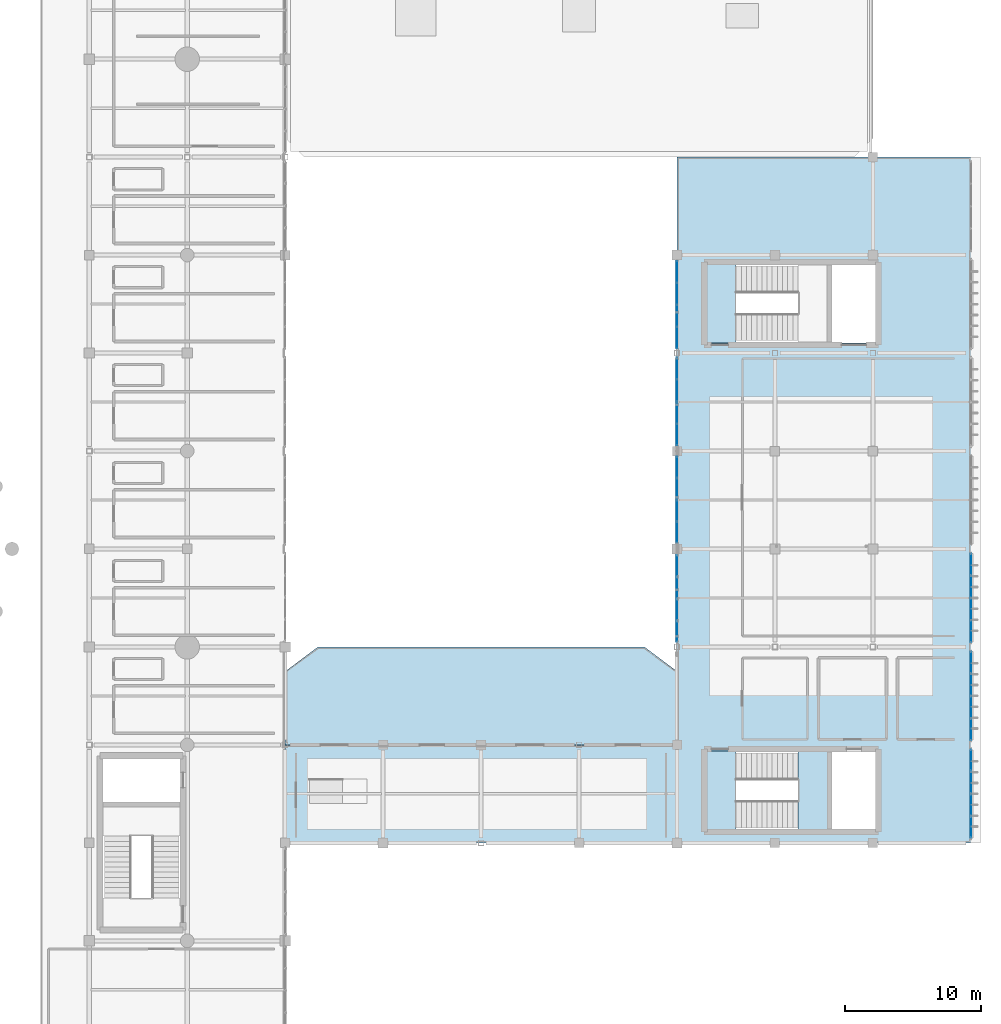
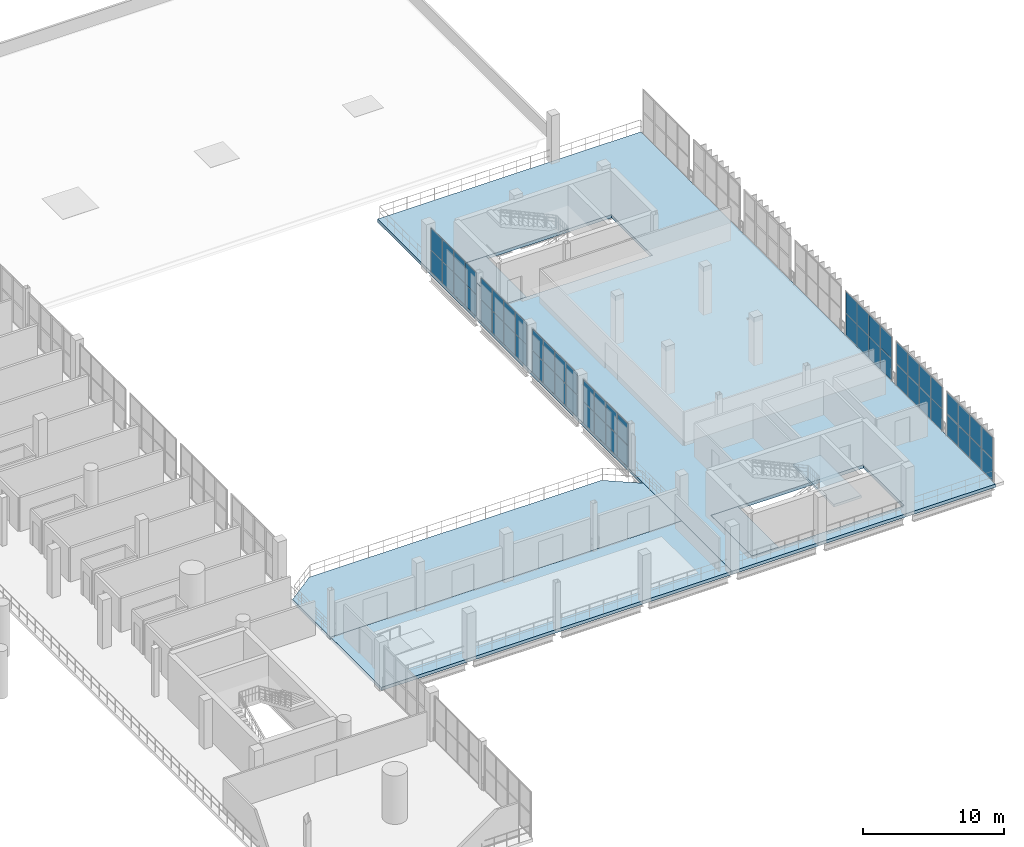
# One storey, part 96 of 130: 56 plates, 6 slabs, 8 elements without a shape of their own.
"""IFC4 building model written with IfcOpenShell, lengths in metres."""

from ifc_helpers import new_model, si_unit, direction, frame, origin, origin_2d, place, context, subcontext, project, spatial, polyline, rectangle, outline, extrude, material, layer, layer_set, type_object, element, aggregate, save


model = new_model("IFC4")

# Units and contexts
model_context = context("Model", 3, precision=1e-05, world=origin(), true_north=direction((0.0, 1.0)))
body_context = subcontext(model_context, "Body", "Model", "MODEL_VIEW")
ifc_project = project(units=[si_unit("LENGTHUNIT", "METRE"), si_unit("AREAUNIT", "SQUARE_METRE"), si_unit("VOLUMEUNIT", "CUBIC_METRE"), si_unit("PLANEANGLEUNIT", "RADIAN"), si_unit("MASSUNIT", "GRAM", prefix="KILO")], contexts=[model_context])

# Site, building, storey
site_placement = place(None, origin())
site = spatial("IfcSite", under=ifc_project, at=site_placement, CompositionType="ELEMENT")
building_placement = place(site_placement, origin())
building = spatial("IfcBuilding", under=site, at=building_placement, Name="Qandorah Velis Arena", CompositionType="ELEMENT")
storey_placement = place(building_placement, frame((0.0, 0.0, 9.60009765625)))
storey = spatial("IfcBuildingStorey", under=building, at=storey_placement, Name="L02", CompositionType="ELEMENT", Elevation=9.60009765625)

# Curtain wall, plates
ifc_material_1 = material(Name="Solar-control low-E double glazing", Category="glass")
curtain_wall_type_1 = type_object("IfcCurtainWallType", Name="ARC-CW-SYS08", PredefinedType="USERDEFINED", material=ifc_material_1)
curtain_wall_1_placement = place(storey_placement, origin())
curtain_wall_1 = element("IfcCurtainWall", 1, at=curtain_wall_1_placement, inside=storey, type_object=curtain_wall_type_1, Name="Unitised curtain wall L02-128", ObjectType="UNITISED CURTAIN WALL", PredefinedType="USERDEFINED")
ifc_layer_1 = layer(ifc_material_1, 0.028076171875)
ifc_layer_set_1 = layer_set([ifc_layer_1], Name="Solar-control low-E double glazing")
plate_type_1 = type_object("IfcPlateType", Name="ARC-CWP-GLZ28", PredefinedType="CURTAIN_PANEL", material=ifc_layer_set_1)
plate_1_placement = place(storey_placement, frame((151.199951171875, 80.326171875, 0.044921875), z_axis=(0.0, 0.0, 1.0), x_axis=(0.0, 1.0, 0.0)))
plate_1 = element("IfcPlate", 2, at=plate_1_placement, type_object=plate_type_1, Name="CW08 panel 1.1", PredefinedType="CURTAIN_PANEL", context=body_context, shape_type="SweptSolid", body=[
    extrude(rectangle(XDim=1.5625, YDim=0.028076171875, at=origin_2d()), origin(), (0.0, 0.0, 1.0), 1.87744140625),
])
plate_2_placement = place(storey_placement, frame((151.199951171875, 80.326171875, 1.95751953125), z_axis=(0.0, 0.0, 1.0), x_axis=(0.0, 1.0, 0.0)))
plate_2 = element("IfcPlate", 3, at=plate_2_placement, type_object=plate_type_1, Name="CW08 panel 1.2", PredefinedType="CURTAIN_PANEL", context=body_context, shape_type="SweptSolid", body=[
    extrude(rectangle(XDim=1.5625, YDim=0.028076171875, at=origin_2d()), origin(), (0.0, 0.0, 1.0), 1.87744140625),
])
plate_3_placement = place(storey_placement, frame((151.199951171875, 81.9375, 0.044921875), z_axis=(0.0, 0.0, 1.0), x_axis=(0.0, 1.0, 0.0)))
plate_3 = element("IfcPlate", 4, at=plate_3_placement, type_object=plate_type_1, Name="CW08 panel 2.1", PredefinedType="CURTAIN_PANEL", context=body_context, shape_type="SweptSolid", body=[
    extrude(rectangle(XDim=1.590087890625, YDim=0.028076171875, at=origin_2d()), origin(), (0.0, 0.0, 1.0), 1.87744140625),
])
plate_4_placement = place(storey_placement, frame((151.199951171875, 81.9375, 1.95751953125), z_axis=(0.0, 0.0, 1.0), x_axis=(0.0, 1.0, 0.0)))
plate_4 = element("IfcPlate", 5, at=plate_4_placement, type_object=plate_type_1, Name="CW08 panel 2.2", PredefinedType="CURTAIN_PANEL", context=body_context, shape_type="SweptSolid", body=[
    extrude(rectangle(XDim=1.590087890625, YDim=0.028076171875, at=origin_2d()), origin(), (0.0, 0.0, 1.0), 1.87744140625),
])
plate_5_placement = place(storey_placement, frame((151.199951171875, 83.5625, 0.044921875), z_axis=(0.0, 0.0, 1.0), x_axis=(0.0, 1.0, 0.0)))
plate_5 = element("IfcPlate", 6, at=plate_5_placement, type_object=plate_type_1, Name="CW08 panel 3.1", PredefinedType="CURTAIN_PANEL", context=body_context, shape_type="SweptSolid", body=[
    extrude(rectangle(XDim=1.590087890625, YDim=0.028076171875, at=origin_2d()), origin(), (0.0, 0.0, 1.0), 1.87744140625),
])
plate_6_placement = place(storey_placement, frame((151.199951171875, 83.5625, 1.95751953125), z_axis=(0.0, 0.0, 1.0), x_axis=(0.0, 1.0, 0.0)))
plate_6 = element("IfcPlate", 7, at=plate_6_placement, type_object=plate_type_1, Name="CW08 panel 3.2", PredefinedType="CURTAIN_PANEL", context=body_context, shape_type="SweptSolid", body=[
    extrude(rectangle(XDim=1.590087890625, YDim=0.028076171875, at=origin_2d()), origin(), (0.0, 0.0, 1.0), 1.87744140625),
])
plate_7_placement = place(storey_placement, frame((151.199951171875, 85.173828125, 0.044921875), z_axis=(0.0, 0.0, 1.0), x_axis=(0.0, 1.0, 0.0)))
plate_7 = element("IfcPlate", 8, at=plate_7_placement, type_object=plate_type_1, Name="CW08 panel 4.1", PredefinedType="CURTAIN_PANEL", context=body_context, shape_type="SweptSolid", body=[
    extrude(rectangle(XDim=1.5625, YDim=0.028076171875, at=origin_2d()), origin(), (0.0, 0.0, 1.0), 1.87744140625),
])
plate_8_placement = place(storey_placement, frame((151.199951171875, 85.173828125, 1.95751953125), z_axis=(0.0, 0.0, 1.0), x_axis=(0.0, 1.0, 0.0)))
plate_8 = element("IfcPlate", 9, at=plate_8_placement, type_object=plate_type_1, Name="CW08 panel 4.2", PredefinedType="CURTAIN_PANEL", context=body_context, shape_type="SweptSolid", body=[
    extrude(rectangle(XDim=1.5625, YDim=0.028076171875, at=origin_2d()), origin(), (0.0, 0.0, 1.0), 1.87744140625),
])
aggregate(curtain_wall_1, [plate_1, plate_2, plate_3, plate_4, plate_5, plate_6, plate_7, plate_8])

curtain_wall_type_2 = type_object("IfcCurtainWallType", Name="ARC-CW-SYS07", PredefinedType="USERDEFINED", material=ifc_material_1)
curtain_wall_2_placement = place(storey_placement, origin())
curtain_wall_2 = element("IfcCurtainWall", 10, at=curtain_wall_2_placement, inside=storey, type_object=curtain_wall_type_2, Name="Unitised curtain wall L02-127", ObjectType="UNITISED CURTAIN WALL", PredefinedType="USERDEFINED")
ifc_layer_2 = layer(ifc_material_1, 0.030029296875)
ifc_layer_set_2 = layer_set([ifc_layer_2], Name="Solar-control low-E double glazing")
plate_type_2 = type_object("IfcPlateType", Name="ARC-CWP-GLZ30", PredefinedType="CURTAIN_PANEL", material=ifc_layer_set_2)
plate_9_placement = place(storey_placement, frame((151.199951171875, 73.20556640625, 0.0498046875), z_axis=(0.0, 0.0, 1.0), x_axis=(0.0, 1.0, 0.0)))
plate_9 = element("IfcPlate", 11, at=plate_9_placement, type_object=plate_type_2, Name="CW07 panel 1.1", PredefinedType="CURTAIN_PANEL", context=body_context, shape_type="SweptSolid", body=[
    extrude(rectangle(XDim=1.561279296875, YDim=0.030029296875, at=origin_2d()), origin(), (0.0, 0.0, 1.0), 1.8701171875),
])
plate_10_placement = place(storey_placement, frame((151.199951171875, 73.20556640625, 1.9599609375), z_axis=(0.0, 0.0, 1.0), x_axis=(0.0, 1.0, 0.0)))
plate_10 = element("IfcPlate", 12, at=plate_10_placement, type_object=plate_type_2, Name="CW07 panel 1.2", PredefinedType="CURTAIN_PANEL", context=body_context, shape_type="SweptSolid", body=[
    extrude(rectangle(XDim=1.561279296875, YDim=0.030029296875, at=origin_2d()), origin(), (0.0, 0.0, 1.0), 1.8701171875),
])
plate_11_placement = place(storey_placement, frame((151.199951171875, 74.82177734375, 0.0498046875), z_axis=(0.0, 0.0, 1.0), x_axis=(0.0, 1.0, 0.0)))
plate_11 = element("IfcPlate", 13, at=plate_11_placement, type_object=plate_type_2, Name="CW07 panel 2.1", PredefinedType="CURTAIN_PANEL", context=body_context, shape_type="SweptSolid", body=[
    extrude(rectangle(XDim=1.59130859375, YDim=0.030029296875, at=origin_2d()), origin(), (0.0, 0.0, 1.0), 1.8701171875),
])
plate_12_placement = place(storey_placement, frame((151.199951171875, 74.82177734375, 1.9599609375), z_axis=(0.0, 0.0, 1.0), x_axis=(0.0, 1.0, 0.0)))
plate_12 = element("IfcPlate", 14, at=plate_12_placement, type_object=plate_type_2, Name="CW07 panel 2.2", PredefinedType="CURTAIN_PANEL", context=body_context, shape_type="SweptSolid", body=[
    extrude(rectangle(XDim=1.59130859375, YDim=0.030029296875, at=origin_2d()), origin(), (0.0, 0.0, 1.0), 1.8701171875),
])
plate_13_placement = place(storey_placement, frame((151.199951171875, 76.453125, 0.0498046875), z_axis=(0.0, 0.0, 1.0), x_axis=(0.0, 1.0, 0.0)))
plate_13 = element("IfcPlate", 15, at=plate_13_placement, type_object=plate_type_2, Name="CW07 panel 3.1", PredefinedType="CURTAIN_PANEL", context=body_context, shape_type="SweptSolid", body=[
    extrude(rectangle(XDim=1.59130859375, YDim=0.030029296875, at=origin_2d()), origin(), (0.0, 0.0, 1.0), 1.8701171875),
])
plate_14_placement = place(storey_placement, frame((151.199951171875, 76.453125, 1.9599609375), z_axis=(0.0, 0.0, 1.0), x_axis=(0.0, 1.0, 0.0)))
plate_14 = element("IfcPlate", 16, at=plate_14_placement, type_object=plate_type_2, Name="CW07 panel 3.2", PredefinedType="CURTAIN_PANEL", context=body_context, shape_type="SweptSolid", body=[
    extrude(rectangle(XDim=1.59130859375, YDim=0.030029296875, at=origin_2d()), origin(), (0.0, 0.0, 1.0), 1.8701171875),
])
plate_15_placement = place(storey_placement, frame((151.199951171875, 78.0693359375, 0.0498046875), z_axis=(0.0, 0.0, 1.0), x_axis=(0.0, 1.0, 0.0)))
plate_15 = element("IfcPlate", 17, at=plate_15_placement, type_object=plate_type_2, Name="CW07 panel 4.1", PredefinedType="CURTAIN_PANEL", context=body_context, shape_type="SweptSolid", body=[
    extrude(rectangle(XDim=1.561279296875, YDim=0.030029296875, at=origin_2d()), origin(), (0.0, 0.0, 1.0), 1.8701171875),
])
plate_16_placement = place(storey_placement, frame((151.199951171875, 78.0693359375, 1.9599609375), z_axis=(0.0, 0.0, 1.0), x_axis=(0.0, 1.0, 0.0)))
plate_16 = element("IfcPlate", 18, at=plate_16_placement, type_object=plate_type_2, Name="CW07 panel 4.2", PredefinedType="CURTAIN_PANEL", context=body_context, shape_type="SweptSolid", body=[
    extrude(rectangle(XDim=1.561279296875, YDim=0.030029296875, at=origin_2d()), origin(), (0.0, 0.0, 1.0), 1.8701171875),
])
aggregate(curtain_wall_2, [plate_9, plate_10, plate_11, plate_12, plate_13, plate_14, plate_15, plate_16])

curtain_wall_type_3 = type_object("IfcCurtainWallType", Name="ARC-CW-SYS03", PredefinedType="USERDEFINED", material=ifc_material_1)
curtain_wall_3_placement = place(storey_placement, origin())
curtain_wall_3 = element("IfcCurtainWall", 19, at=curtain_wall_3_placement, inside=storey, type_object=curtain_wall_type_3, Name="Unitised curtain wall L02-147", ObjectType="UNITISED CURTAIN WALL", PredefinedType="USERDEFINED")
plate_17_placement = place(storey_placement, frame((172.800048828125, 58.739990234375, 0.0498046875), z_axis=(0.0, 0.0, 1.0), x_axis=(0.0, 1.0, 0.0)))
plate_17 = element("IfcPlate", 20, at=plate_17_placement, type_object=plate_type_2, Name="CW03 panel 1.1", PredefinedType="CURTAIN_PANEL", context=body_context, shape_type="SweptSolid", body=[
    extrude(rectangle(XDim=1.580078125, YDim=0.030029296875, at=origin_2d()), origin(), (0.0, 0.0, 1.0), 1.8701171875),
])
plate_18_placement = place(storey_placement, frame((172.800048828125, 58.739990234375, 1.9599609375), z_axis=(0.0, 0.0, 1.0), x_axis=(0.0, 1.0, 0.0)))
plate_18 = element("IfcPlate", 21, at=plate_18_placement, type_object=plate_type_2, Name="CW03 panel 1.2", PredefinedType="CURTAIN_PANEL", context=body_context, shape_type="SweptSolid", body=[
    extrude(rectangle(XDim=1.580078125, YDim=0.030029296875, at=origin_2d()), origin(), (0.0, 0.0, 1.0), 1.8701171875),
])
plate_19_placement = place(storey_placement, frame((172.800048828125, 60.375, 0.0498046875), z_axis=(0.0, 0.0, 1.0), x_axis=(0.0, 1.0, 0.0)))
plate_19 = element("IfcPlate", 22, at=plate_19_placement, type_object=plate_type_2, Name="CW03 panel 2.1", PredefinedType="CURTAIN_PANEL", context=body_context, shape_type="SweptSolid", body=[
    extrude(rectangle(XDim=1.610107421875, YDim=0.030029296875, at=origin_2d()), origin(), (0.0, 0.0, 1.0), 1.8701171875),
])
plate_20_placement = place(storey_placement, frame((172.800048828125, 60.375, 1.9599609375), z_axis=(0.0, 0.0, 1.0), x_axis=(0.0, 1.0, 0.0)))
plate_20 = element("IfcPlate", 23, at=plate_20_placement, type_object=plate_type_2, Name="CW03 panel 2.2", PredefinedType="CURTAIN_PANEL", context=body_context, shape_type="SweptSolid", body=[
    extrude(rectangle(XDim=1.610107421875, YDim=0.030029296875, at=origin_2d()), origin(), (0.0, 0.0, 1.0), 1.8701171875),
])
plate_21_placement = place(storey_placement, frame((172.800048828125, 62.02490234375, 0.0498046875), z_axis=(0.0, 0.0, 1.0), x_axis=(0.0, 1.0, 0.0)))
plate_21 = element("IfcPlate", 24, at=plate_21_placement, type_object=plate_type_2, Name="CW03 panel 3.1", PredefinedType="CURTAIN_PANEL", context=body_context, shape_type="SweptSolid", body=[
    extrude(rectangle(XDim=1.610107421875, YDim=0.030029296875, at=origin_2d()), origin(), (0.0, 0.0, 1.0), 1.8701171875),
])
plate_22_placement = place(storey_placement, frame((172.800048828125, 62.02490234375, 1.9599609375), z_axis=(0.0, 0.0, 1.0), x_axis=(0.0, 1.0, 0.0)))
plate_22 = element("IfcPlate", 25, at=plate_22_placement, type_object=plate_type_2, Name="CW03 panel 3.2", PredefinedType="CURTAIN_PANEL", context=body_context, shape_type="SweptSolid", body=[
    extrude(rectangle(XDim=1.610107421875, YDim=0.030029296875, at=origin_2d()), origin(), (0.0, 0.0, 1.0), 1.8701171875),
])
plate_23_placement = place(storey_placement, frame((172.800048828125, 63.659912109375, 0.0498046875), z_axis=(0.0, 0.0, 1.0), x_axis=(0.0, 1.0, 0.0)))
plate_23 = element("IfcPlate", 26, at=plate_23_placement, type_object=plate_type_2, Name="CW03 panel 4.1", PredefinedType="CURTAIN_PANEL", context=body_context, shape_type="SweptSolid", body=[
    extrude(rectangle(XDim=1.580078125, YDim=0.030029296875, at=origin_2d()), origin(), (0.0, 0.0, 1.0), 1.8701171875),
])
plate_24_placement = place(storey_placement, frame((172.800048828125, 63.659912109375, 1.9599609375), z_axis=(0.0, 0.0, 1.0), x_axis=(0.0, 1.0, 0.0)))
plate_24 = element("IfcPlate", 27, at=plate_24_placement, type_object=plate_type_2, Name="CW03 panel 4.2", PredefinedType="CURTAIN_PANEL", context=body_context, shape_type="SweptSolid", body=[
    extrude(rectangle(XDim=1.580078125, YDim=0.030029296875, at=origin_2d()), origin(), (0.0, 0.0, 1.0), 1.8701171875),
])
aggregate(curtain_wall_3, [plate_17, plate_18, plate_19, plate_20, plate_21, plate_22, plate_23, plate_24])

curtain_wall_type_4 = type_object("IfcCurtainWallType", Name="ARC-CW-SYS06", PredefinedType="USERDEFINED", material=ifc_material_1)
curtain_wall_4_placement = place(storey_placement, origin())
curtain_wall_4 = element("IfcCurtainWall", 28, at=curtain_wall_4_placement, inside=storey, type_object=curtain_wall_type_4, Name="Unitised curtain wall L02-126", ObjectType="UNITISED CURTAIN WALL", PredefinedType="USERDEFINED")
ifc_layer_3 = layer(ifc_material_1, 0.035888671875)
ifc_layer_set_3 = layer_set([ifc_layer_3], Name="Solar-control low-E double glazing")
plate_type_3 = type_object("IfcPlateType", Name="ARC-CWP-GLZ36", PredefinedType="CURTAIN_PANEL", material=ifc_layer_set_3)
plate_25_placement = place(storey_placement, frame((151.199951171875, 66.019287109375, 0.0546875), z_axis=(0.0, 0.0, 1.0), x_axis=(0.0, 1.0, 0.0)))
plate_25 = element("IfcPlate", 29, at=plate_25_placement, type_object=plate_type_3, Name="CW06 panel 1.1", PredefinedType="CURTAIN_PANEL", context=body_context, shape_type="SweptSolid", body=[
    extrude(rectangle(XDim=1.52880859375, YDim=0.035888671875, at=origin_2d()), origin(), (0.0, 0.0, 1.0), 1.862548828125),
])
plate_26_placement = place(storey_placement, frame((151.199951171875, 66.019287109375, 1.96240234375), z_axis=(0.0, 0.0, 1.0), x_axis=(0.0, 1.0, 0.0)))
plate_26 = element("IfcPlate", 30, at=plate_26_placement, type_object=plate_type_3, Name="CW06 panel 1.2", PredefinedType="CURTAIN_PANEL", context=body_context, shape_type="SweptSolid", body=[
    extrude(rectangle(XDim=1.52880859375, YDim=0.035888671875, at=origin_2d()), origin(), (0.0, 0.0, 1.0), 1.862548828125),
])
plate_27_placement = place(storey_placement, frame((151.199951171875, 67.609375, 0.0546875), z_axis=(0.0, 0.0, 1.0), x_axis=(0.0, 1.0, 0.0)))
plate_27 = element("IfcPlate", 31, at=plate_27_placement, type_object=plate_type_3, Name="CW06 panel 2.1", PredefinedType="CURTAIN_PANEL", context=body_context, shape_type="SweptSolid", body=[
    extrude(rectangle(XDim=1.561279296875, YDim=0.035888671875, at=origin_2d()), origin(), (0.0, 0.0, 1.0), 1.862548828125),
])
plate_28_placement = place(storey_placement, frame((151.199951171875, 67.609375, 1.96240234375), z_axis=(0.0, 0.0, 1.0), x_axis=(0.0, 1.0, 0.0)))
plate_28 = element("IfcPlate", 32, at=plate_28_placement, type_object=plate_type_3, Name="CW06 panel 2.2", PredefinedType="CURTAIN_PANEL", context=body_context, shape_type="SweptSolid", body=[
    extrude(rectangle(XDim=1.561279296875, YDim=0.035888671875, at=origin_2d()), origin(), (0.0, 0.0, 1.0), 1.862548828125),
])
plate_29_placement = place(storey_placement, frame((151.199951171875, 69.215576171875, 0.0546875), z_axis=(0.0, 0.0, 1.0), x_axis=(0.0, 1.0, 0.0)))
plate_29 = element("IfcPlate", 33, at=plate_29_placement, type_object=plate_type_3, Name="CW06 panel 3.1", PredefinedType="CURTAIN_PANEL", context=body_context, shape_type="SweptSolid", body=[
    extrude(rectangle(XDim=1.561279296875, YDim=0.035888671875, at=origin_2d()), origin(), (0.0, 0.0, 1.0), 1.862548828125),
])
plate_30_placement = place(storey_placement, frame((151.199951171875, 69.215576171875, 1.96240234375), z_axis=(0.0, 0.0, 1.0), x_axis=(0.0, 1.0, 0.0)))
plate_30 = element("IfcPlate", 34, at=plate_30_placement, type_object=plate_type_3, Name="CW06 panel 3.2", PredefinedType="CURTAIN_PANEL", context=body_context, shape_type="SweptSolid", body=[
    extrude(rectangle(XDim=1.561279296875, YDim=0.035888671875, at=origin_2d()), origin(), (0.0, 0.0, 1.0), 1.862548828125),
])
plate_31_placement = place(storey_placement, frame((151.199951171875, 70.8056640625, 0.0546875), z_axis=(0.0, 0.0, 1.0), x_axis=(0.0, 1.0, 0.0)))
plate_31 = element("IfcPlate", 35, at=plate_31_placement, type_object=plate_type_3, Name="CW06 panel 4.1", PredefinedType="CURTAIN_PANEL", context=body_context, shape_type="SweptSolid", body=[
    extrude(rectangle(XDim=1.52880859375, YDim=0.035888671875, at=origin_2d()), origin(), (0.0, 0.0, 1.0), 1.862548828125),
])
plate_32_placement = place(storey_placement, frame((151.199951171875, 70.8056640625, 1.96240234375), z_axis=(0.0, 0.0, 1.0), x_axis=(0.0, 1.0, 0.0)))
plate_32 = element("IfcPlate", 36, at=plate_32_placement, type_object=plate_type_3, Name="CW06 panel 4.2", PredefinedType="CURTAIN_PANEL", context=body_context, shape_type="SweptSolid", body=[
    extrude(rectangle(XDim=1.52880859375, YDim=0.035888671875, at=origin_2d()), origin(), (0.0, 0.0, 1.0), 1.862548828125),
])
aggregate(curtain_wall_4, [plate_25, plate_26, plate_27, plate_28, plate_29, plate_30, plate_31, plate_32])

curtain_wall_type_5 = type_object("IfcCurtainWallType", Name="ARC-CW-SYS02", PredefinedType="USERDEFINED", material=ifc_material_1)
curtain_wall_5_placement = place(storey_placement, origin())
curtain_wall_5 = element("IfcCurtainWall", 37, at=curtain_wall_5_placement, inside=storey, type_object=curtain_wall_type_5, Name="Unitised curtain wall L02-146", ObjectType="UNITISED CURTAIN WALL", PredefinedType="USERDEFINED")
plate_33_placement = place(storey_placement, frame((172.800048828125, 51.541259765625, 0.0546875), z_axis=(0.0, 0.0, 1.0), x_axis=(0.0, 1.0, 0.0)))
plate_33 = element("IfcPlate", 38, at=plate_33_placement, type_object=plate_type_3, Name="CW02 panel 1.1", PredefinedType="CURTAIN_PANEL", context=body_context, shape_type="SweptSolid", body=[
    extrude(rectangle(XDim=1.572509765625, YDim=0.035888671875, at=origin_2d()), origin(), (0.0, 0.0, 1.0), 1.862548828125),
])
plate_34_placement = place(storey_placement, frame((172.800048828125, 51.541259765625, 1.96240234375), z_axis=(0.0, 0.0, 1.0), x_axis=(0.0, 1.0, 0.0)))
plate_34 = element("IfcPlate", 39, at=plate_34_placement, type_object=plate_type_3, Name="CW02 panel 1.2", PredefinedType="CURTAIN_PANEL", context=body_context, shape_type="SweptSolid", body=[
    extrude(rectangle(XDim=1.572509765625, YDim=0.035888671875, at=origin_2d()), origin(), (0.0, 0.0, 1.0), 1.862548828125),
])
plate_35_placement = place(storey_placement, frame((172.800048828125, 53.175048828125, 0.0546875), z_axis=(0.0, 0.0, 1.0), x_axis=(0.0, 1.0, 0.0)))
plate_35 = element("IfcPlate", 40, at=plate_35_placement, type_object=plate_type_3, Name="CW02 panel 2.1", PredefinedType="CURTAIN_PANEL", context=body_context, shape_type="SweptSolid", body=[
    extrude(rectangle(XDim=1.60498046875, YDim=0.035888671875, at=origin_2d()), origin(), (0.0, 0.0, 1.0), 1.862548828125),
])
plate_36_placement = place(storey_placement, frame((172.800048828125, 53.175048828125, 1.96240234375), z_axis=(0.0, 0.0, 1.0), x_axis=(0.0, 1.0, 0.0)))
plate_36 = element("IfcPlate", 41, at=plate_36_placement, type_object=plate_type_3, Name="CW02 panel 2.2", PredefinedType="CURTAIN_PANEL", context=body_context, shape_type="SweptSolid", body=[
    extrude(rectangle(XDim=1.60498046875, YDim=0.035888671875, at=origin_2d()), origin(), (0.0, 0.0, 1.0), 1.862548828125),
])
plate_37_placement = place(storey_placement, frame((172.800048828125, 54.824951171875, 0.0546875), z_axis=(0.0, 0.0, 1.0), x_axis=(0.0, 1.0, 0.0)))
plate_37 = element("IfcPlate", 42, at=plate_37_placement, type_object=plate_type_3, Name="CW02 panel 3.1", PredefinedType="CURTAIN_PANEL", context=body_context, shape_type="SweptSolid", body=[
    extrude(rectangle(XDim=1.60498046875, YDim=0.035888671875, at=origin_2d()), origin(), (0.0, 0.0, 1.0), 1.862548828125),
])
plate_38_placement = place(storey_placement, frame((172.800048828125, 54.824951171875, 1.96240234375), z_axis=(0.0, 0.0, 1.0), x_axis=(0.0, 1.0, 0.0)))
plate_38 = element("IfcPlate", 43, at=plate_38_placement, type_object=plate_type_3, Name="CW02 panel 3.2", PredefinedType="CURTAIN_PANEL", context=body_context, shape_type="SweptSolid", body=[
    extrude(rectangle(XDim=1.60498046875, YDim=0.035888671875, at=origin_2d()), origin(), (0.0, 0.0, 1.0), 1.862548828125),
])
plate_39_placement = place(storey_placement, frame((172.800048828125, 56.458740234375, 0.0546875), z_axis=(0.0, 0.0, 1.0), x_axis=(0.0, 1.0, 0.0)))
plate_39 = element("IfcPlate", 44, at=plate_39_placement, type_object=plate_type_3, Name="CW02 panel 4.1", PredefinedType="CURTAIN_PANEL", context=body_context, shape_type="SweptSolid", body=[
    extrude(rectangle(XDim=1.572509765625, YDim=0.035888671875, at=origin_2d()), origin(), (0.0, 0.0, 1.0), 1.862548828125),
])
plate_40_placement = place(storey_placement, frame((172.800048828125, 56.458740234375, 1.96240234375), z_axis=(0.0, 0.0, 1.0), x_axis=(0.0, 1.0, 0.0)))
plate_40 = element("IfcPlate", 45, at=plate_40_placement, type_object=plate_type_3, Name="CW02 panel 4.2", PredefinedType="CURTAIN_PANEL", context=body_context, shape_type="SweptSolid", body=[
    extrude(rectangle(XDim=1.572509765625, YDim=0.035888671875, at=origin_2d()), origin(), (0.0, 0.0, 1.0), 1.862548828125),
])
aggregate(curtain_wall_5, [plate_33, plate_34, plate_35, plate_36, plate_37, plate_38, plate_39, plate_40])

curtain_wall_type_6 = type_object("IfcCurtainWallType", Name="ARC-CW-SYS05", PredefinedType="USERDEFINED", material=ifc_material_1)
curtain_wall_6_placement = place(storey_placement, origin())
curtain_wall_6 = element("IfcCurtainWall", 46, at=curtain_wall_6_placement, inside=storey, type_object=curtain_wall_type_6, Name="Unitised curtain wall L02-125", ObjectType="UNITISED CURTAIN WALL", PredefinedType="USERDEFINED")
ifc_layer_4 = layer(ifc_material_1, 0.0439453125)
ifc_layer_set_4 = layer_set([ifc_layer_4], Name="Solar-control low-E double glazing")
plate_type_4 = type_object("IfcPlateType", Name="ARC-CWP-SPN44", PredefinedType="CURTAIN_PANEL", material=ifc_layer_set_4)
plate_41_placement = place(storey_placement, frame((151.199951171875, 58.731201171875, 0.06494140625), z_axis=(0.0, 0.0, 1.0), x_axis=(0.0, 1.0, 0.0)))
plate_41 = element("IfcPlate", 47, at=plate_41_placement, type_object=plate_type_4, Name="CW05 panel 1.1", PredefinedType="CURTAIN_PANEL", context=body_context, shape_type="SweptSolid", body=[
    extrude(rectangle(XDim=1.532470703125, YDim=0.0439453125, at=origin_2d()), origin(), (0.0, 0.0, 1.0), 1.847412109375),
])
plate_42_placement = place(storey_placement, frame((151.199951171875, 58.731201171875, 1.96728515625), z_axis=(0.0, 0.0, 1.0), x_axis=(0.0, 1.0, 0.0)))
plate_42 = element("IfcPlate", 48, at=plate_42_placement, type_object=plate_type_4, Name="CW05 panel 1.2", PredefinedType="CURTAIN_PANEL", context=body_context, shape_type="SweptSolid", body=[
    extrude(rectangle(XDim=1.532470703125, YDim=0.0439453125, at=origin_2d()), origin(), (0.0, 0.0, 1.0), 1.847412109375),
])
plate_43_placement = place(storey_placement, frame((151.199951171875, 60.33740234375, 0.06494140625), z_axis=(0.0, 0.0, 1.0), x_axis=(0.0, 1.0, 0.0)))
plate_43 = element("IfcPlate", 49, at=plate_43_placement, type_object=plate_type_4, Name="CW05 panel 2.1", PredefinedType="CURTAIN_PANEL", context=body_context, shape_type="SweptSolid", body=[
    extrude(rectangle(XDim=1.570068359375, YDim=0.0439453125, at=origin_2d()), origin(), (0.0, 0.0, 1.0), 1.847412109375),
])
plate_44_placement = place(storey_placement, frame((151.199951171875, 60.33740234375, 1.96728515625), z_axis=(0.0, 0.0, 1.0), x_axis=(0.0, 1.0, 0.0)))
plate_44 = element("IfcPlate", 50, at=plate_44_placement, type_object=plate_type_4, Name="CW05 panel 2.2", PredefinedType="CURTAIN_PANEL", context=body_context, shape_type="SweptSolid", body=[
    extrude(rectangle(XDim=1.570068359375, YDim=0.0439453125, at=origin_2d()), origin(), (0.0, 0.0, 1.0), 1.847412109375),
])
plate_45_placement = place(storey_placement, frame((151.199951171875, 61.96240234375, 0.06494140625), z_axis=(0.0, 0.0, 1.0), x_axis=(0.0, 1.0, 0.0)))
plate_45 = element("IfcPlate", 51, at=plate_45_placement, type_object=plate_type_4, Name="CW05 panel 3.1", PredefinedType="CURTAIN_PANEL", context=body_context, shape_type="SweptSolid", body=[
    extrude(rectangle(XDim=1.570068359375, YDim=0.0439453125, at=origin_2d()), origin(), (0.0, 0.0, 1.0), 1.847412109375),
])
plate_46_placement = place(storey_placement, frame((151.199951171875, 61.96240234375, 1.96728515625), z_axis=(0.0, 0.0, 1.0), x_axis=(0.0, 1.0, 0.0)))
plate_46 = element("IfcPlate", 52, at=plate_46_placement, type_object=plate_type_4, Name="CW05 panel 3.2", PredefinedType="CURTAIN_PANEL", context=body_context, shape_type="SweptSolid", body=[
    extrude(rectangle(XDim=1.570068359375, YDim=0.0439453125, at=origin_2d()), origin(), (0.0, 0.0, 1.0), 1.847412109375),
])
plate_47_placement = place(storey_placement, frame((151.199951171875, 63.56884765625, 0.06494140625), z_axis=(0.0, 0.0, 1.0), x_axis=(0.0, 1.0, 0.0)))
plate_47 = element("IfcPlate", 53, at=plate_47_placement, type_object=plate_type_4, Name="CW05 panel 4.1", PredefinedType="CURTAIN_PANEL", context=body_context, shape_type="SweptSolid", body=[
    extrude(rectangle(XDim=1.532470703125, YDim=0.0439453125, at=origin_2d()), origin(), (0.0, 0.0, 1.0), 1.847412109375),
])
plate_48_placement = place(storey_placement, frame((151.199951171875, 63.56884765625, 1.96728515625), z_axis=(0.0, 0.0, 1.0), x_axis=(0.0, 1.0, 0.0)))
plate_48 = element("IfcPlate", 54, at=plate_48_placement, type_object=plate_type_4, Name="CW05 panel 4.2", PredefinedType="CURTAIN_PANEL", context=body_context, shape_type="SweptSolid", body=[
    extrude(rectangle(XDim=1.532470703125, YDim=0.0439453125, at=origin_2d()), origin(), (0.0, 0.0, 1.0), 1.847412109375),
])
aggregate(curtain_wall_6, [plate_41, plate_42, plate_43, plate_44, plate_45, plate_46, plate_47, plate_48])

curtain_wall_type_7 = type_object("IfcCurtainWallType", Name="ARC-CW-SYS01", PredefinedType="USERDEFINED", material=ifc_material_1)
curtain_wall_7_placement = place(storey_placement, origin())
curtain_wall_7 = element("IfcCurtainWall", 55, at=curtain_wall_7_placement, inside=storey, type_object=curtain_wall_type_7, Name="Unitised curtain wall L02-145", ObjectType="UNITISED CURTAIN WALL", PredefinedType="USERDEFINED")
plate_49_placement = place(storey_placement, frame((172.800048828125, 44.34375, 0.06494140625), z_axis=(0.0, 0.0, 1.0), x_axis=(0.0, 1.0, 0.0)))
plate_49 = element("IfcPlate", 56, at=plate_49_placement, type_object=plate_type_4, Name="CW01 panel 1.1", PredefinedType="CURTAIN_PANEL", context=body_context, shape_type="SweptSolid", body=[
    extrude(rectangle(XDim=1.5576171875, YDim=0.0439453125, at=origin_2d()), origin(), (0.0, 0.0, 1.0), 1.847412109375),
])
plate_50_placement = place(storey_placement, frame((172.800048828125, 44.34375, 1.96728515625), z_axis=(0.0, 0.0, 1.0), x_axis=(0.0, 1.0, 0.0)))
plate_50 = element("IfcPlate", 57, at=plate_50_placement, type_object=plate_type_4, Name="CW01 panel 1.2", PredefinedType="CURTAIN_PANEL", context=body_context, shape_type="SweptSolid", body=[
    extrude(rectangle(XDim=1.5576171875, YDim=0.0439453125, at=origin_2d()), origin(), (0.0, 0.0, 1.0), 1.847412109375),
])
plate_51_placement = place(storey_placement, frame((172.800048828125, 45.97509765625, 0.06494140625), z_axis=(0.0, 0.0, 1.0), x_axis=(0.0, 1.0, 0.0)))
plate_51 = element("IfcPlate", 58, at=plate_51_placement, type_object=plate_type_4, Name="CW01 panel 2.1", PredefinedType="CURTAIN_PANEL", context=body_context, shape_type="SweptSolid", body=[
    extrude(rectangle(XDim=1.594970703125, YDim=0.0439453125, at=origin_2d()), origin(), (0.0, 0.0, 1.0), 1.847412109375),
])
plate_52_placement = place(storey_placement, frame((172.800048828125, 45.97509765625, 1.96728515625), z_axis=(0.0, 0.0, 1.0), x_axis=(0.0, 1.0, 0.0)))
plate_52 = element("IfcPlate", 59, at=plate_52_placement, type_object=plate_type_4, Name="CW01 panel 2.2", PredefinedType="CURTAIN_PANEL", context=body_context, shape_type="SweptSolid", body=[
    extrude(rectangle(XDim=1.594970703125, YDim=0.0439453125, at=origin_2d()), origin(), (0.0, 0.0, 1.0), 1.847412109375),
])
plate_53_placement = place(storey_placement, frame((172.800048828125, 47.625, 0.06494140625), z_axis=(0.0, 0.0, 1.0), x_axis=(0.0, 1.0, 0.0)))
plate_53 = element("IfcPlate", 60, at=plate_53_placement, type_object=plate_type_4, Name="CW01 panel 3.1", PredefinedType="CURTAIN_PANEL", context=body_context, shape_type="SweptSolid", body=[
    extrude(rectangle(XDim=1.594970703125, YDim=0.0439453125, at=origin_2d()), origin(), (0.0, 0.0, 1.0), 1.847412109375),
])
plate_54_placement = place(storey_placement, frame((172.800048828125, 47.625, 1.96728515625), z_axis=(0.0, 0.0, 1.0), x_axis=(0.0, 1.0, 0.0)))
plate_54 = element("IfcPlate", 61, at=plate_54_placement, type_object=plate_type_4, Name="CW01 panel 3.2", PredefinedType="CURTAIN_PANEL", context=body_context, shape_type="SweptSolid", body=[
    extrude(rectangle(XDim=1.594970703125, YDim=0.0439453125, at=origin_2d()), origin(), (0.0, 0.0, 1.0), 1.847412109375),
])
plate_55_placement = place(storey_placement, frame((172.800048828125, 49.25634765625, 0.06494140625), z_axis=(0.0, 0.0, 1.0), x_axis=(0.0, 1.0, 0.0)))
plate_55 = element("IfcPlate", 62, at=plate_55_placement, type_object=plate_type_4, Name="CW01 panel 4.1", PredefinedType="CURTAIN_PANEL", context=body_context, shape_type="SweptSolid", body=[
    extrude(rectangle(XDim=1.5576171875, YDim=0.0439453125, at=origin_2d()), origin(), (0.0, 0.0, 1.0), 1.847412109375),
])
plate_56_placement = place(storey_placement, frame((172.800048828125, 49.25634765625, 1.96728515625), z_axis=(0.0, 0.0, 1.0), x_axis=(0.0, 1.0, 0.0)))
plate_56 = element("IfcPlate", 63, at=plate_56_placement, type_object=plate_type_4, Name="CW01 panel 4.2", PredefinedType="CURTAIN_PANEL", context=body_context, shape_type="SweptSolid", body=[
    extrude(rectangle(XDim=1.5576171875, YDim=0.0439453125, at=origin_2d()), origin(), (0.0, 0.0, 1.0), 1.847412109375),
])
aggregate(curtain_wall_7, [plate_49, plate_50, plate_51, plate_52, plate_53, plate_54, plate_55, plate_56])

# Slabs
ifc_material_2 = material(Name="Concrete C40/50", Category="concrete")
ifc_layer_5 = layer(ifc_material_2, 0.280029296875)
ifc_layer_set_5 = layer_set([ifc_layer_5], Name="Concrete C40/50")
slab_type_1 = type_object("IfcSlabType", Name="STR-SLB-FL280", PredefinedType="FLOOR", material=ifc_layer_set_5)
slab_1_placement = place(storey_placement, frame((0.0, 0.0, -0.280029296875)))
element("IfcSlab", 64, at=slab_1_placement, inside=storey, type_object=slab_type_1, Name="Structural floor slab L02_OASIS_LINK", PredefinedType="FLOOR", context=body_context, shape_type="SweptSolid", body=[
    extrude(outline(polyline([(151.199951171875, 43.199951171875), (151.199951171875, 50.39990234375), (122.39990234375, 50.39990234375), (122.39990234375, 43.199951171875), (151.199951171875, 43.199951171875)])), origin(), (0.0, 0.0, 1.0), 0.280029296875),
])
slab_2_placement = place(storey_placement, frame((0.0, 0.0, -0.280029296875)))
element("IfcSlab", 65, at=slab_2_placement, inside=storey, type_object=slab_type_1, Name="Structural floor slab L02_OASIS_WING", PredefinedType="FLOOR", context=body_context, shape_type="SweptSolid", body=[
    extrude(outline(polyline([(172.800048828125, 43.199951171875), (151.199951171875, 43.199951171875), (151.199951171875, 93.60009765625), (172.800048828125, 93.60009765625), (172.800048828125, 43.199951171875)]), holes=[polyline([(155.554931640625, 44.14501953125), (165.85498046875, 44.14501953125), (165.85498046875, 49.955078125), (155.554931640625, 49.955078125), (153.344970703125, 49.955078125), (153.344970703125, 44.14501953125), (155.554931640625, 44.14501953125)]), polyline([(153.344970703125, 79.945068359375), (155.554931640625, 79.945068359375), (165.85498046875, 79.945068359375), (165.85498046875, 85.7548828125), (153.344970703125, 85.7548828125), (153.344970703125, 85.7548828125), (153.344970703125, 79.945068359375)])]), origin(), (0.0, 0.0, 1.0), 0.280029296875),
])
ifc_layer_6 = layer(ifc_material_2, 0.219970703125)
ifc_layer_set_6 = layer_set([ifc_layer_6], Name="Concrete C40/50")
slab_type_2 = type_object("IfcSlabType", Name="STR-SLB-LND220", PredefinedType="LANDING", material=ifc_layer_set_6)
slab_3_placement = place(storey_placement, frame((0.0, 0.0, -0.22021484375)))
element("IfcSlab", 66, at=slab_3_placement, inside=storey, type_object=slab_type_2, Name="Stair ST7 storey landing slab L02", PredefinedType="LANDING", context=body_context, shape_type="SweptSolid", body=[
    extrude(outline(polyline([(153.35009765625, 44.14990234375), (155.550048828125, 44.14990234375), (155.550048828125, 49.949951171875), (153.35009765625, 49.949951171875), (153.35009765625, 44.14990234375)])), origin(), (0.0, 0.0, 1.0), 0.22021484375),
])

# Stair, slab
stair_type = type_object("IfcStairType", Name="ARC-ST-CORE42", PredefinedType="HALF_TURN_STAIR", material=ifc_material_2)
stair_placement = place(storey_placement, origin())
stair = element("IfcStair", 67, at=stair_placement, inside=storey, type_object=stair_type, Name="Protected exit stair ST7 (L02)", PredefinedType="HALF_TURN_STAIR")
slab_4_placement = place(storey_placement, frame((0.0, 0.0, 1.8798828125)))
slab_4 = element("IfcSlab", 68, at=slab_4_placement, type_object=slab_type_2, Name="ST7 landing 1", PredefinedType="LANDING", context=body_context, shape_type="SweptSolid", body=[
    extrude(outline(polyline([(160.0859375, 44.14990234375), (162.3359375, 44.14990234375), (162.3359375, 49.949951171875), (160.0859375, 49.949951171875), (160.0859375, 44.14990234375)])), origin(), (0.0, 0.0, 1.0), 0.219970703125),
])
aggregate(stair, [slab_4])

# Slabs
slab_5_placement = place(storey_placement, frame((0.0, 0.0, -0.22021484375)))
element("IfcSlab", 69, at=slab_5_placement, inside=storey, type_object=slab_type_2, Name="Stair ST8 storey landing slab L02", PredefinedType="LANDING", context=body_context, shape_type="SweptSolid", body=[
    extrude(outline(polyline([(153.35009765625, 79.949951171875), (155.550048828125, 79.949951171875), (155.550048828125, 85.75), (153.35009765625, 85.75), (153.35009765625, 79.949951171875)])), origin(), (0.0, 0.0, 1.0), 0.22021484375),
])
ifc_layer_7 = layer(ifc_material_2, 0.260009765625)
ifc_layer_set_7 = layer_set([ifc_layer_7], Name="Concrete C40/50")
slab_type_3 = type_object("IfcSlabType", Name="STR-SLB-TER260", PredefinedType="FLOOR", material=ifc_layer_set_7)
slab_6_placement = place(storey_placement, frame((0.0, 0.0, -0.260009765625)))
element("IfcSlab", 70, at=slab_6_placement, inside=storey, type_object=slab_type_3, Name="Oasis Court exterior terrace slab L02", PredefinedType="FLOOR", context=body_context, shape_type="SweptSolid", body=[
    extrude(outline(polyline([(122.39990234375, 50.39990234375), (151.199951171875, 50.39990234375), (151.199951171875, 55.800048828125), (148.800048828125, 57.60009765625), (124.800048828125, 57.60009765625), (122.39990234375, 55.800048828125), (122.39990234375, 50.39990234375)])), origin(), (0.0, 0.0, 1.0), 0.260009765625),
])

save(model, "model.ifc")
